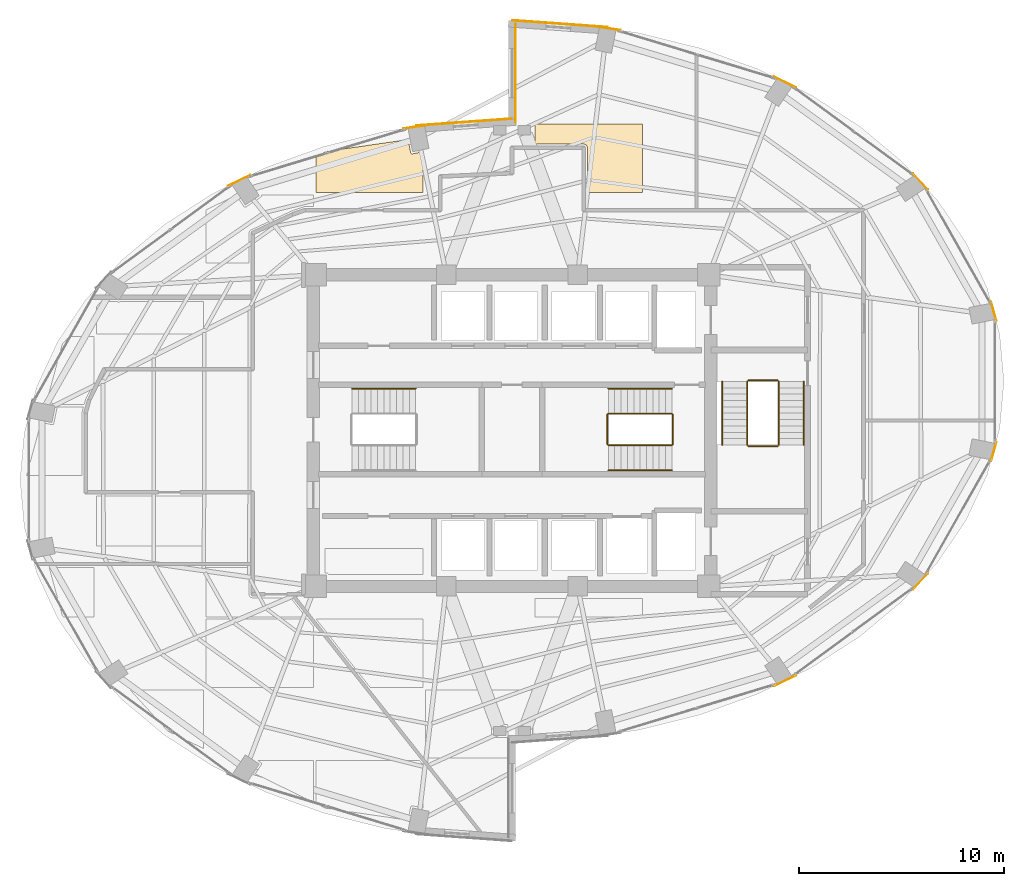
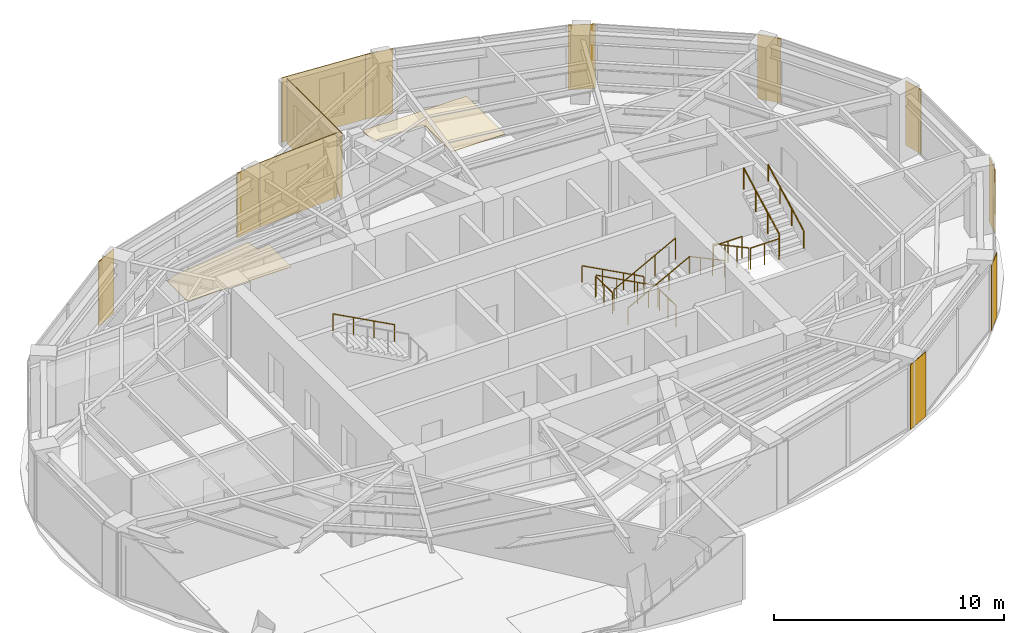
# One storey, part 20 of 20: 14 coverings, 13 railings.
"""IFC4 building model written with IfcOpenShell, lengths in metres."""

from ifc_helpers import new_model, si_unit, direction, frame, origin, origin_2d, place, context, subcontext, project, spatial, polyline, rectangle, circle, outline, extrude, material, layer, layer_set, type_object, element, save


model = new_model("IFC4")

# Units and contexts
model_context = context("Model", 3, precision=1e-05, world=origin(), true_north=direction((0.0, 1.0)))
body_context = subcontext(model_context, "Body", "Model", "MODEL_VIEW")
ifc_project = project(units=[si_unit("LENGTHUNIT", "METRE"), si_unit("AREAUNIT", "SQUARE_METRE"), si_unit("VOLUMEUNIT", "CUBIC_METRE"), si_unit("PLANEANGLEUNIT", "RADIAN"), si_unit("MASSUNIT", "GRAM", prefix="KILO")], contexts=[model_context])

# Site, building, storey
site_placement = place(None, origin())
site = spatial("IfcSite", under=ifc_project, at=site_placement, CompositionType="ELEMENT")
building_placement = place(site_placement, origin())
building = spatial("IfcBuilding", under=site, at=building_placement, Name="Lazwardi Medical Tower", CompositionType="ELEMENT")
storey_placement = place(building_placement, frame((0.0, 0.0, 149.23193359375)))
storey = spatial("IfcBuildingStorey", under=building, at=storey_placement, Name="L38", CompositionType="ELEMENT", Elevation=149.23193359375)

# Coverings
ifc_material_1 = material(Name="Anodised bronze aluminium cassette cladding", Category="aluminium")
ifc_layer_1 = layer(ifc_material_1, 0.030029296875)
ifc_layer_set_1 = layer_set([ifc_layer_1], Name="Anodised bronze aluminium cassette cladding")
covering_type_1 = type_object("IfcCoveringType", Name="COV-CLD-BRZ", PredefinedType="CLADDING", material=ifc_layer_set_1)
covering_1_placement = place(storey_placement, frame((49.31103515625, 15.798095703125, 0.0), z_axis=(0.0, 0.0, 1.0), x_axis=(0.898079014814, 0.439834154144, 0.0)))
element("IfcCovering", 1, at=covering_1_placement, inside=storey, type_object=covering_type_1, Name="L38 Mega-column bronze cassette cover M02", PredefinedType="CLADDING", context=body_context, shape_type="SweptSolid", body=[
    extrude(rectangle(XDim=1.200439453125, YDim=0.030029296875, at=origin_2d()), origin(), (0.0, 0.0, 1.0), 3.427978515625),
])
covering_2_placement = place(storey_placement, frame((55.92138671875, 20.643310546875, 0.0), z_axis=(0.0, 0.0, 1.0), x_axis=(0.673714459537, 0.738991763832, 0.0)))
element("IfcCovering", 2, at=covering_2_placement, inside=storey, type_object=covering_type_1, Name="L38 Mega-column bronze cassette cover M03", PredefinedType="CLADDING", context=body_context, shape_type="SweptSolid", body=[
    extrude(rectangle(XDim=1.0693359375, YDim=0.030029296875, at=origin_2d()), origin(), (0.0, 0.0, 1.0), 3.427978515625),
])
for number, where, z_axis, x_axis, name in (
    (3, (59.498779296875, 26.973876953125, 0.0), (0.0, 0.0, 1.0), (0.261828726257, 0.965114354938, 0.0), "L38 Mega-column bronze cassette cover M04"),
    (4, (59.498779296875, 33.826171875, 0.0), (0.0, 0.0, 1.0), (-0.261828726257, 0.965114354938, 0.0), "L38 Mega-column bronze cassette cover M05"),
):
    element("IfcCovering", number, at=place(storey_placement, frame(where, z_axis=z_axis, x_axis=x_axis)), inside=storey, type_object=covering_type_1, Name=name, PredefinedType="CLADDING", context=body_context, shape_type="SweptSolid", body=[
        extrude(rectangle(XDim=0.9658203125, YDim=0.030029296875, at=origin_2d()), origin(), (0.0, 0.0, 1.0), 3.427978515625),
    ])
covering_3_placement = place(storey_placement, frame((55.92138671875, 40.15673828125, 0.0), z_axis=(0.0, 0.0, 1.0), x_axis=(-0.673714459537, 0.738991763832, 0.0)))
element("IfcCovering", 5, at=covering_3_placement, inside=storey, type_object=covering_type_1, Name="L38 Mega-column bronze cassette cover M06", PredefinedType="CLADDING", context=body_context, shape_type="SweptSolid", body=[
    extrude(rectangle(XDim=1.0693359375, YDim=0.030029296875, at=origin_2d()), origin(), (0.0, 0.0, 1.0), 3.427978515625),
])
covering_4_placement = place(storey_placement, frame((49.31103515625, 45.001953125, 0.0), z_axis=(0.0, 0.0, 1.0), x_axis=(-0.898079014814, 0.439834154144, 0.0)))
element("IfcCovering", 6, at=covering_4_placement, inside=storey, type_object=covering_type_1, Name="L38 Mega-column bronze cassette cover M07", PredefinedType="CLADDING", context=body_context, shape_type="SweptSolid", body=[
    extrude(rectangle(XDim=1.200439453125, YDim=0.030029296875, at=origin_2d()), origin(), (0.0, 0.0, 1.0), 3.427978515625),
])
for number, where, z_axis, x_axis, name in (
    (7, (40.67431640625, 47.6240234375, 0.0), (0.0, 0.0, 1.0), (-0.989539138138, 0.144264666823, 0.0), "L38 Mega-column bronze cassette cover M08"),
    (8, (31.32568359375, 42.82421875, 0.0), (0.0, 0.0, 1.0), (-0.989539138138, -0.144264666823, 0.0), "L38 Mega-column bronze cassette cover M09"),
):
    element("IfcCovering", number, at=place(storey_placement, frame(where, z_axis=z_axis, x_axis=x_axis)), inside=storey, type_object=covering_type_1, Name=name, PredefinedType="CLADDING", context=body_context, shape_type="SweptSolid", body=[
        extrude(rectangle(XDim=1.28515625, YDim=0.030029296875, at=origin_2d()), origin(), (0.0, 0.0, 1.0), 3.427978515625),
    ])
covering_5_placement = place(storey_placement, frame((22.68896484375, 40.201904296875, 0.0), z_axis=(0.0, 0.0, 1.0), x_axis=(-0.898079014814, -0.439834154144, 0.0)))
element("IfcCovering", 9, at=covering_5_placement, inside=storey, type_object=covering_type_1, Name="L38 Mega-column bronze cassette cover M10", PredefinedType="CLADDING", context=body_context, shape_type="SweptSolid", body=[
    extrude(rectangle(XDim=1.200439453125, YDim=0.030029296875, at=origin_2d()), origin(), (0.0, 0.0, 1.0), 3.427978515625),
])
ifc_material_2 = material(Name="Turquoise glazed ceramic tilework cladding", Category="masonry")
ifc_layer_2 = layer(ifc_material_2, 0.034912109375)
ifc_layer_set_2 = layer_set([ifc_layer_2], Name="Turquoise glazed ceramic tilework cladding")
covering_type_2 = type_object("IfcCoveringType", Name="COV-CLD-TRQ", PredefinedType="CLADDING", material=ifc_layer_set_2)
covering_6_placement = place(storey_placement, frame((38.338134765625, 47.847412109375, 0.0), z_axis=(0.0, 0.0, 1.0), x_axis=(-0.997414510753, 0.071863020663, 0.0)))
element("IfcCovering", 10, at=covering_6_placement, inside=storey, type_object=covering_type_2, Name="L38 Turquoise glazed ceramic tilework cladding", PredefinedType="CLADDING", context=body_context, shape_type="SweptSolid", body=[
    extrude(rectangle(XDim=4.6630859375, YDim=0.034912109375, at=origin_2d()), origin(), (0.0, 0.0, 1.0), 3.427978515625),
])
covering_7_placement = place(storey_placement, frame((33.66162109375, 43.047607421875, 0.0), z_axis=(0.0, 0.0, 1.0), x_axis=(-0.997414134466, -0.071868243112, 0.0)))
element("IfcCovering", 11, at=covering_7_placement, inside=storey, type_object=covering_type_2, Name="L38 Turquoise glazed ceramic tilework cladding", PredefinedType="CLADDING", context=body_context, shape_type="SweptSolid", body=[
    extrude(rectangle(XDim=4.66259765625, YDim=0.034912109375, at=origin_2d()), origin(), (0.0, 0.0, 1.0), 3.427978515625),
])
covering_8_placement = place(storey_placement, frame((36.175537109375, 45.43994140625, 0.0), z_axis=(0.0, 0.0, 1.0), x_axis=(0.0, -1.0, 0.0)))
element("IfcCovering", 12, at=covering_8_placement, inside=storey, type_object=covering_type_2, Name="L38 Turquoise glazed ceramic tilework iwan panel", PredefinedType="CLADDING", context=body_context, shape_type="SweptSolid", body=[
    extrude(rectangle(XDim=4.800048828125, YDim=0.034912109375, at=origin_2d()), origin(), (0.0, 0.0, 1.0), 3.427978515625),
])
ifc_material_3 = material(Name="Acoustic mineral fibre tile")
ifc_layer_3 = layer(ifc_material_3, 0.02490234375)
ifc_layer_set_3 = layer_set([ifc_layer_3], Name="Acoustic mineral fibre tile")
covering_type_3 = type_object("IfcCoveringType", Name="COV-CLG-01", PredefinedType="CEILING", material=ifc_layer_set_3)
covering_9_placement = place(storey_placement, frame((0.0, 0.0, 3.282958984375)))
element("IfcCovering", 13, at=covering_9_placement, inside=storey, type_object=covering_type_3, Name="L38 Clinical Acoustic Ceiling 10", PredefinedType="CEILING", context=body_context, shape_type="SweptSolid", body=[
    extrude(outline(polyline([(37.1328125, 41.97509765625), (39.5, 41.97509765625), (39.50439453125, 41.974853515625), (39.513671875, 41.974365234375), (39.5205078125, 41.9736328125), (39.52978515625, 41.972412109375), (39.5380859375, 41.970703125), (39.547119140625, 41.968505859375), (39.55419921875, 41.96630859375), (39.56298828125, 41.96337890625), (39.57080078125, 41.9599609375), (39.5791015625, 41.9560546875), (39.5859375, 41.952392578125), (39.593994140625, 41.947509765625), (39.6005859375, 41.943115234375), (39.608154296875, 41.9375), (39.61376953125, 41.932861328125), (39.62060546875, 41.9267578125), (39.626708984375, 41.920654296875), (39.6328125, 41.913818359375), (39.637451171875, 41.908203125), (39.64306640625, 41.900634765625), (39.647705078125, 41.89404296875), (39.65234375, 41.885986328125), (39.656005859375, 41.879150390625), (39.659912109375, 41.870849609375), (39.663330078125, 41.863037109375), (39.66650390625, 41.854248046875), (39.66845703125, 41.84716796875), (39.6708984375, 41.838134765625), (39.67236328125, 41.82958984375), (39.673583984375, 41.820556640625), (39.67431640625, 41.813720703125), (39.6748046875, 41.80419921875), (39.675048828125, 41.800048828125), (39.675048828125, 39.62255859375), (42.36279296875, 39.62255859375), (42.36279296875, 42.952392578125), (37.1328125, 42.952392578125), (37.1328125, 41.97509765625)])), origin(), (0.0, 0.0, 1.0), 0.025146484375),
])
ifc_material_4 = material(Name="Anti-static hospital vinyl sheet flooring")
ifc_layer_4 = layer(ifc_material_4, 0.014892578125)
ifc_layer_set_4 = layer_set([ifc_layer_4], Name="Anti-static hospital vinyl sheet flooring")
covering_type_4 = type_object("IfcCoveringType", Name="COV-FLR-01", PredefinedType="FLOORING", material=ifc_layer_set_4)
covering_10_placement = place(storey_placement, origin())
element("IfcCovering", 14, at=covering_10_placement, inside=storey, type_object=covering_type_4, Name="L38 Clinical Vinyl Flooring 10", PredefinedType="FLOORING", context=body_context, shape_type="SweptSolid", body=[
    extrude(outline(polyline([(31.662841796875, 41.60498046875), (31.149658203125, 41.502685546875), (31.141845703125, 41.501708984375), (31.134033203125, 41.501220703125), (31.126220703125, 41.501708984375), (31.118408203125, 41.502685546875), (31.11083984375, 41.504638671875), (31.103515625, 41.50732421875), (31.096435546875, 41.5107421875), (31.089599609375, 41.514892578125), (31.083251953125, 41.51953125), (31.077392578125, 41.524658203125), (31.072265625, 41.530517578125), (31.067626953125, 41.536865234375), (31.0634765625, 41.543701171875), (31.060302734375, 41.55078125), (31.0576171875, 41.55810546875), (31.0556640625, 41.565673828125), (30.92919921875, 42.201416015625), (26.908447265625, 41.61669921875), (26.432861328125, 41.38427734375), (26.432861328125, 39.62255859375), (31.662841796875, 39.62255859375), (31.662841796875, 41.60498046875)])), origin(), (0.0, 0.0, 1.0), 0.01513671875),
])

# Railings
ifc_material_5 = material(Name="Stainless steel Grade 316", Category="steel")
railing_type_1 = type_object("IfcRailingType", Name="RLG-GRD-1150", PredefinedType="GUARDRAIL", material=ifc_material_5)
railing_1_placement = place(storey_placement, frame((43.800048828125, 28.830078125, 0.165771484375)))
element("IfcRailing", 15, at=railing_1_placement, inside=storey, type_object=railing_type_1, Name="L38 ST2 stair guard 1", PredefinedType="GUARDRAIL", context=body_context, shape_type="SweptSolid", body=[
    extrude(circle(Radius=0.02392578125, at=origin_2d()), frame((0.0, 0.0, 1.1259765625), z_axis=(-0.881783298633, 0.0, 0.471654761719), x_axis=(0.0, -1.0, 0.0)), (0.0, 0.0, 1.0), 3.515625),
    extrude(circle(Radius=0.02099609375, at=origin_2d()), origin(), (0.0, 0.0, 1.0), 1.099853515625),
    extrude(circle(Radius=0.02099609375, at=origin_2d()), frame((-1.033447265625, 0.0, 0.552734375)), (0.0, 0.0, 1.0), 1.099853515625),
    extrude(circle(Radius=0.02099609375, at=origin_2d()), frame((-2.066650390625, 0.0, 1.10546875)), (0.0, 0.0, 1.0), 1.099853515625),
    extrude(circle(Radius=0.02099609375, at=origin_2d()), frame((-3.10009765625, 0.0, 1.658203125)), (0.0, 0.0, 1.0), 1.099853515625),
])
railing_2_placement = place(storey_placement, frame((40.64990234375, 28.780029296875, 1.823974609375)))
element("IfcRailing", 16, at=railing_2_placement, inside=storey, type_object=railing_type_1, Name="L38 ST2 stair guard 2", PredefinedType="GUARDRAIL", context=body_context, shape_type="SweptSolid", body=[
    extrude(circle(Radius=0.02392578125, at=origin_2d()), frame((0.0, 0.0, 1.1259765625), z_axis=(0.0, -1.0, 0.0), x_axis=(1.0, 0.0, 0.0)), (0.0, 0.0, 1.0), 1.43994140625),
    extrude(circle(Radius=0.02099609375, at=origin_2d()), origin(), (0.0, 0.0, 1.0), 1.099853515625),
    extrude(circle(Radius=0.02099609375, at=origin_2d()), frame((0.0, -0.719970703125, 0.0)), (0.0, 0.0, 1.0), 1.099853515625),
    extrude(circle(Radius=0.02099609375, at=origin_2d()), frame((0.0, -1.43994140625, 0.0)), (0.0, 0.0, 1.0), 1.099853515625),
])
railing_3_placement = place(storey_placement, frame((40.699951171875, 27.2900390625, 1.989990234375)))
element("IfcRailing", 17, at=railing_3_placement, inside=storey, type_object=railing_type_1, Name="L38 ST2 stair guard 3", PredefinedType="GUARDRAIL", context=body_context, shape_type="SweptSolid", body=[
    extrude(circle(Radius=0.02392578125, at=origin_2d()), frame((0.0, 0.0, 1.1259765625), z_axis=(0.881812178953, 0.0, 0.471600764472), x_axis=(0.0, 1.0, 0.0)), (0.0, 0.0, 1.0), 3.515625),
    extrude(circle(Radius=0.02099609375, at=origin_2d()), origin(), (0.0, 0.0, 1.0), 1.099853515625),
    extrude(circle(Radius=0.02099609375, at=origin_2d()), frame((1.033447265625, 0.0, 0.552734375)), (0.0, 0.0, 1.0), 1.099853515625),
    extrude(circle(Radius=0.02099609375, at=origin_2d()), frame((2.066650390625, 0.0, 1.105224609375)), (0.0, 0.0, 1.0), 1.099853515625),
    extrude(circle(Radius=0.02099609375, at=origin_2d()), frame((3.10009765625, 0.0, 1.657958984375)), (0.0, 0.0, 1.0), 1.099853515625),
])
railing_4_placement = place(storey_placement, frame((43.85009765625, 28.780029296875, 0.0)))
element("IfcRailing", 18, at=railing_4_placement, inside=storey, type_object=railing_type_1, Name="L38 ST2 stair guard 4", PredefinedType="GUARDRAIL", context=body_context, shape_type="SweptSolid", body=[
    extrude(circle(Radius=0.02392578125, at=origin_2d()), frame((0.0, 0.0, 1.1259765625), z_axis=(0.0, -1.0, 0.0), x_axis=(1.0, 0.0, 0.0)), (0.0, 0.0, 1.0), 1.43994140625),
    extrude(circle(Radius=0.02099609375, at=origin_2d()), origin(), (0.0, 0.0, 1.0), 1.099853515625),
    extrude(circle(Radius=0.02099609375, at=origin_2d()), frame((0.0, -0.719970703125, 0.0)), (0.0, 0.0, 1.0), 1.099853515625),
    extrude(circle(Radius=0.02099609375, at=origin_2d()), frame((0.0, -1.43994140625, 0.0)), (0.0, 0.0, 1.0), 1.099853515625),
])
railing_5_placement = place(storey_placement, frame((47.469970703125, 30.39990234375, 0.165771484375)))
element("IfcRailing", 19, at=railing_5_placement, inside=storey, type_object=railing_type_1, Name="L38 ST3 stair guard 1", PredefinedType="GUARDRAIL", context=body_context, shape_type="SweptSolid", body=[
    extrude(circle(Radius=0.02392578125, at=origin_2d()), frame((0.0, 0.0, 1.1259765625), z_axis=(0.0, -0.881767849116, 0.471683644262), x_axis=(1.0, 0.0, 0.0)), (0.0, 0.0, 1.0), 3.515380859375),
    extrude(circle(Radius=0.02099609375, at=origin_2d()), origin(), (0.0, 0.0, 1.0), 1.099853515625),
    extrude(circle(Radius=0.02099609375, at=origin_2d()), frame((0.0, -1.033203125, 0.552734375)), (0.0, 0.0, 1.0), 1.099853515625),
    extrude(circle(Radius=0.02099609375, at=origin_2d()), frame((0.0, -2.066650390625, 1.10546875)), (0.0, 0.0, 1.0), 1.099853515625),
    extrude(circle(Radius=0.02099609375, at=origin_2d()), frame((0.0, -3.099853515625, 1.658203125)), (0.0, 0.0, 1.0), 1.099853515625),
])
railing_6_placement = place(storey_placement, frame((47.52001953125, 27.25, 1.823974609375)))
element("IfcRailing", 20, at=railing_6_placement, inside=storey, type_object=railing_type_1, Name="L38 ST3 stair guard 2", PredefinedType="GUARDRAIL", context=body_context, shape_type="SweptSolid", body=[
    extrude(circle(Radius=0.02392578125, at=origin_2d()), frame((0.0, 0.0, 1.1259765625), z_axis=(1.0, 0.0, 0.0), x_axis=(0.0, 1.0, 0.0)), (0.0, 0.0, 1.0), 1.43994140625),
    extrude(circle(Radius=0.02099609375, at=origin_2d()), origin(), (0.0, 0.0, 1.0), 1.099853515625),
    extrude(circle(Radius=0.02099609375, at=origin_2d()), frame((0.719970703125, 0.0, 0.0)), (0.0, 0.0, 1.0), 1.099853515625),
    extrude(circle(Radius=0.02099609375, at=origin_2d()), frame((1.43994140625, 0.0, 0.0)), (0.0, 0.0, 1.0), 1.099853515625),
])
railing_7_placement = place(storey_placement, frame((49.010009765625, 27.300048828125, 1.989990234375)))
element("IfcRailing", 21, at=railing_7_placement, inside=storey, type_object=railing_type_1, Name="L38 ST3 stair guard 3", PredefinedType="GUARDRAIL", context=body_context, shape_type="SweptSolid", body=[
    extrude(circle(Radius=0.02392578125, at=origin_2d()), frame((0.0, 0.0, 1.1259765625), z_axis=(0.0, 0.881796732468, 0.4716296456), x_axis=(-1.0, 0.0, 0.0)), (0.0, 0.0, 1.0), 3.515380859375),
    extrude(circle(Radius=0.02099609375, at=origin_2d()), origin(), (0.0, 0.0, 1.0), 1.099853515625),
    extrude(circle(Radius=0.02099609375, at=origin_2d()), frame((0.0, 1.033203125, 0.552734375)), (0.0, 0.0, 1.0), 1.099853515625),
    extrude(circle(Radius=0.02099609375, at=origin_2d()), frame((0.0, 2.066650390625, 1.105224609375)), (0.0, 0.0, 1.0), 1.099853515625),
    extrude(circle(Radius=0.02099609375, at=origin_2d()), frame((0.0, 3.099853515625, 1.657958984375)), (0.0, 0.0, 1.0), 1.099853515625),
])
railing_8_placement = place(storey_placement, frame((47.52001953125, 30.449951171875, 0.0)))
element("IfcRailing", 22, at=railing_8_placement, inside=storey, type_object=railing_type_1, Name="L38 ST3 stair guard 4", PredefinedType="GUARDRAIL", context=body_context, shape_type="SweptSolid", body=[
    extrude(circle(Radius=0.02392578125, at=origin_2d()), frame((0.0, 0.0, 1.1259765625), z_axis=(1.0, 0.0, 0.0), x_axis=(0.0, 1.0, 0.0)), (0.0, 0.0, 1.0), 1.43994140625),
    extrude(circle(Radius=0.02099609375, at=origin_2d()), origin(), (0.0, 0.0, 1.0), 1.099853515625),
    extrude(circle(Radius=0.02099609375, at=origin_2d()), frame((0.719970703125, 0.0, 0.0)), (0.0, 0.0, 1.0), 1.099853515625),
    extrude(circle(Radius=0.02099609375, at=origin_2d()), frame((1.43994140625, 0.0, 0.0)), (0.0, 0.0, 1.0), 1.099853515625),
])
railing_type_2 = type_object("IfcRailingType", Name="RLG-HND-920", PredefinedType="HANDRAIL", material=ifc_material_5)
railing_9_placement = place(storey_placement, frame((31.300048828125, 30.050048828125, 1.989990234375)))
element("IfcRailing", 23, at=railing_9_placement, inside=storey, type_object=railing_type_2, Name="L38 ST1 stair handrail 2", PredefinedType="HANDRAIL", context=body_context, shape_type="SweptSolid", body=[
    extrude(circle(Radius=0.02392578125, at=origin_2d()), frame((0.0, 0.0, 0.8857421875), z_axis=(-0.881812178953, 0.0, 0.471600764472), x_axis=(0.0, -1.0, 0.0)), (0.0, 0.0, 1.0), 3.515625),
    extrude(circle(Radius=0.02099609375, at=origin_2d()), origin(), (0.0, 0.0, 1.0), 0.85986328125),
    extrude(circle(Radius=0.02099609375, at=origin_2d()), frame((-1.033447265625, 0.0, 0.552734375)), (0.0, 0.0, 1.0), 0.85986328125),
    extrude(circle(Radius=0.02099609375, at=origin_2d()), frame((-2.066650390625, 0.0, 1.105224609375)), (0.0, 0.0, 1.0), 0.85986328125),
    extrude(circle(Radius=0.02099609375, at=origin_2d()), frame((-3.10009765625, 0.0, 1.657958984375)), (0.0, 0.0, 1.0), 0.85986328125),
])
railing_10_placement = place(storey_placement, frame((43.800048828125, 30.050048828125, 0.165771484375)))
element("IfcRailing", 24, at=railing_10_placement, inside=storey, type_object=railing_type_2, Name="L38 ST2 stair handrail 1", PredefinedType="HANDRAIL", context=body_context, shape_type="SweptSolid", body=[
    extrude(circle(Radius=0.02392578125, at=origin_2d()), frame((0.0, 0.0, 0.8857421875), z_axis=(-0.881783298633, 0.0, 0.471654761719), x_axis=(0.0, -1.0, 0.0)), (0.0, 0.0, 1.0), 3.515625),
    extrude(circle(Radius=0.02099609375, at=origin_2d()), origin(), (0.0, 0.0, 1.0), 0.85986328125),
    extrude(circle(Radius=0.02099609375, at=origin_2d()), frame((-1.033447265625, 0.0, 0.552734375)), (0.0, 0.0, 1.0), 0.85986328125),
    extrude(circle(Radius=0.02099609375, at=origin_2d()), frame((-2.066650390625, 0.0, 1.10546875)), (0.0, 0.0, 1.0), 0.85986328125),
    extrude(circle(Radius=0.02099609375, at=origin_2d()), frame((-3.10009765625, 0.0, 1.658203125)), (0.0, 0.0, 1.0), 0.85986328125),
])
railing_11_placement = place(storey_placement, frame((40.699951171875, 26.070068359375, 1.989990234375)))
element("IfcRailing", 25, at=railing_11_placement, inside=storey, type_object=railing_type_2, Name="L38 ST2 stair handrail 2", PredefinedType="HANDRAIL", context=body_context, shape_type="SweptSolid", body=[
    extrude(circle(Radius=0.02392578125, at=origin_2d()), frame((0.0, 0.0, 0.8857421875), z_axis=(0.881812178953, 0.0, 0.471600764472), x_axis=(0.0, 1.0, 0.0)), (0.0, 0.0, 1.0), 3.515625),
    extrude(circle(Radius=0.02099609375, at=origin_2d()), origin(), (0.0, 0.0, 1.0), 0.85986328125),
    extrude(circle(Radius=0.02099609375, at=origin_2d()), frame((1.033447265625, 0.0, 0.552734375)), (0.0, 0.0, 1.0), 0.85986328125),
    extrude(circle(Radius=0.02099609375, at=origin_2d()), frame((2.066650390625, 0.0, 1.105224609375)), (0.0, 0.0, 1.0), 0.85986328125),
    extrude(circle(Radius=0.02099609375, at=origin_2d()), frame((3.10009765625, 0.0, 1.657958984375)), (0.0, 0.0, 1.0), 0.85986328125),
])
railing_12_placement = place(storey_placement, frame((46.25, 30.39990234375, 0.165771484375)))
element("IfcRailing", 26, at=railing_12_placement, inside=storey, type_object=railing_type_2, Name="L38 ST3 stair handrail 1", PredefinedType="HANDRAIL", context=body_context, shape_type="SweptSolid", body=[
    extrude(circle(Radius=0.02392578125, at=origin_2d()), frame((0.0, 0.0, 0.8857421875), z_axis=(0.0, -0.881767849116, 0.471683644262), x_axis=(1.0, 0.0, 0.0)), (0.0, 0.0, 1.0), 3.515380859375),
    extrude(circle(Radius=0.02099609375, at=origin_2d()), origin(), (0.0, 0.0, 1.0), 0.85986328125),
    extrude(circle(Radius=0.02099609375, at=origin_2d()), frame((0.0, -1.033203125, 0.552734375)), (0.0, 0.0, 1.0), 0.85986328125),
    extrude(circle(Radius=0.02099609375, at=origin_2d()), frame((0.0, -2.066650390625, 1.10546875)), (0.0, 0.0, 1.0), 0.85986328125),
    extrude(circle(Radius=0.02099609375, at=origin_2d()), frame((0.0, -3.099853515625, 1.658203125)), (0.0, 0.0, 1.0), 0.85986328125),
])
railing_13_placement = place(storey_placement, frame((50.22998046875, 27.300048828125, 1.989990234375)))
element("IfcRailing", 27, at=railing_13_placement, inside=storey, type_object=railing_type_2, Name="L38 ST3 stair handrail 2", PredefinedType="HANDRAIL", context=body_context, shape_type="SweptSolid", body=[
    extrude(circle(Radius=0.02392578125, at=origin_2d()), frame((0.0, 0.0, 0.8857421875), z_axis=(0.0, 0.881796732468, 0.4716296456), x_axis=(-1.0, 0.0, 0.0)), (0.0, 0.0, 1.0), 3.515380859375),
    extrude(circle(Radius=0.02099609375, at=origin_2d()), origin(), (0.0, 0.0, 1.0), 0.85986328125),
    extrude(circle(Radius=0.02099609375, at=origin_2d()), frame((0.0, 1.033203125, 0.552734375)), (0.0, 0.0, 1.0), 0.85986328125),
    extrude(circle(Radius=0.02099609375, at=origin_2d()), frame((0.0, 2.066650390625, 1.105224609375)), (0.0, 0.0, 1.0), 0.85986328125),
    extrude(circle(Radius=0.02099609375, at=origin_2d()), frame((0.0, 3.099853515625, 1.657958984375)), (0.0, 0.0, 1.0), 0.85986328125),
])

save(model, "model.ifc")
